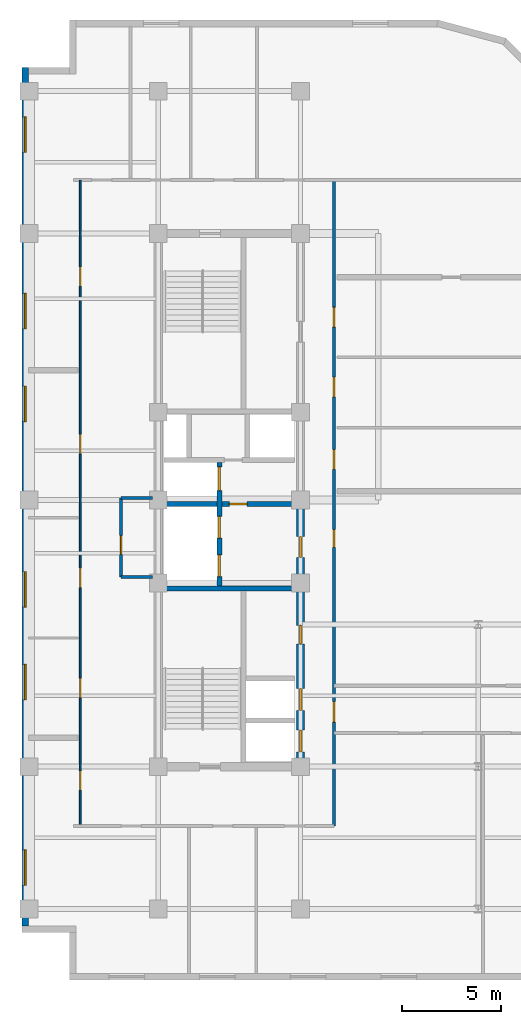
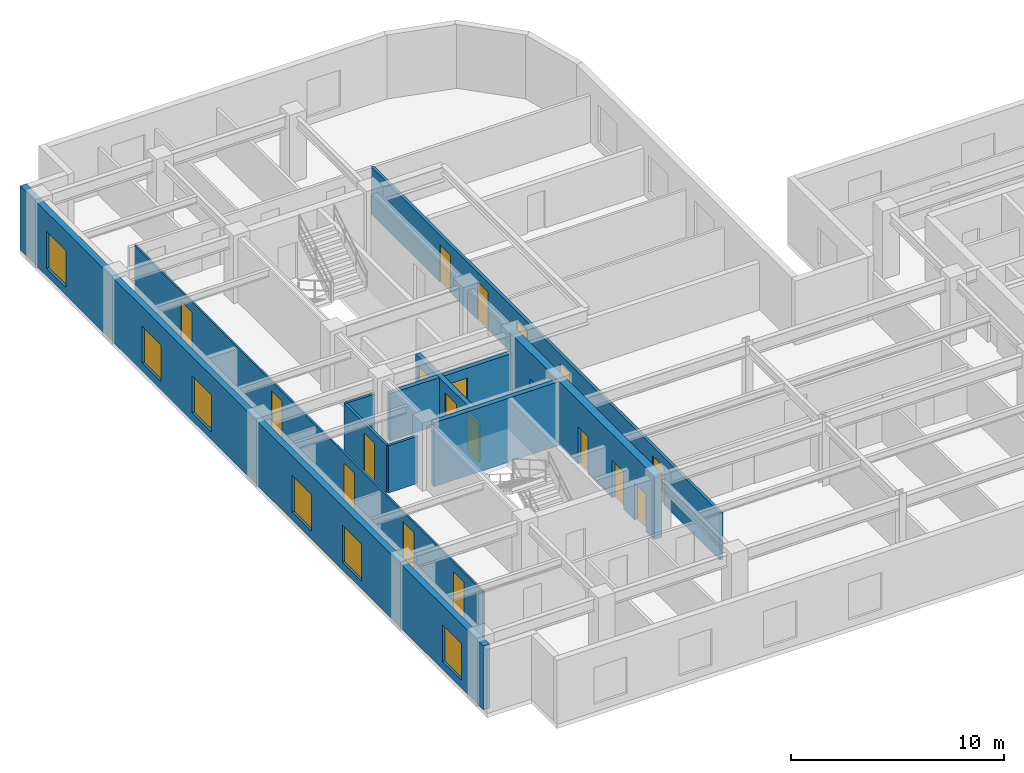
# One storey, part 4 of 10: 19 doors, 10 walls, 6 windows, 25 openings.
"""IFC4 building model written with IfcOpenShell, lengths in metres."""

from ifc_helpers import new_model, entity, si_unit, converted_unit, direction, frame, origin_with_axes, origin_2d_with_axis, place, context, subcontext, project, spatial, polyline, rectangle, outline, extrude, material, layer, layer_set, type_object, element, fill, save


model = new_model("IFC4")

# Units and contexts
model_context = context("Model", 3, precision=1e-05, world=origin_with_axes(), true_north=direction((0.0, 1.0)))
body_context = subcontext(model_context, "Body", "Model", "MODEL_VIEW")
ifc_project = project(units=[si_unit("LENGTHUNIT", "METRE"), si_unit("AREAUNIT", "SQUARE_METRE"), si_unit("VOLUMEUNIT", "CUBIC_METRE"), converted_unit("PLANEANGLEUNIT", "DEGREE", entity("IfcPlaneAngleMeasure", 0.017453292519943295), si_unit("PLANEANGLEUNIT", "RADIAN"), dimensions=[0, 0, 0, 0, 0, 0, 0]), si_unit("MASSUNIT", "GRAM", prefix="KILO"), si_unit("THERMODYNAMICTEMPERATUREUNIT", "KELVIN")], contexts=[model_context])

# Site, building, storey
site_placement = place(None, origin_with_axes())
site = spatial("IfcSite", under=ifc_project, at=site_placement, CompositionType="ELEMENT")
building_placement = place(site_placement, origin_with_axes())
building = spatial("IfcBuilding", under=site, at=building_placement, Name="Varnlund Millrace Tower", CompositionType="ELEMENT")
storey_placement = place(building_placement, frame((0.0, 0.0, 228.6), z_axis=(0.0, 0.0, 1.0), x_axis=(1.0, 0.0, 0.0)))
storey = spatial("IfcBuildingStorey", under=building, at=storey_placement, Name="L56", CompositionType="ELEMENT", Elevation=228.6)

# Wall, openings, doors
ifc_material_1 = material(Name="Concrete C60/75", Category="concrete")
ifc_layer_1 = layer(ifc_material_1, 0.42, Name="Concrete C60/75")
ifc_layer_set_1 = layer_set([ifc_layer_1], Name="Concrete C60/75")
wall_type_1 = type_object("IfcWallType", Name="Type-CoreWall-Shear-420-C60", PredefinedType="SHEAR", material=ifc_layer_set_1)
wall_1_placement = place(storey_placement, frame((18.6, 10.8, 0.0), z_axis=(0.0, 0.0, 1.0), x_axis=(0.0, 1.0, 0.0)))
wall_1 = element("IfcWall", 1, at=wall_1_placement, inside=storey, type_object=wall_type_1, Name="Type-CoreWall-Shear-420-C60", PredefinedType="SHEAR", context=body_context, shape_type="SweptSolid", body=[
    extrude(outline(polyline([(0.0, -0.21), (13.5, -0.21), (13.5, 0.21), (0.0, 0.21), (0.0, -0.21)])), origin_with_axes(), (0.0, 0.0, 1.0), 3.66),
])
opening_1_placement = place(wall_1_placement, frame((1.3, 0.0, 0.0), z_axis=(0.0, 0.0, 1.0), x_axis=(1.0, 0.0, 0.0)))
opening_1 = element("IfcOpeningElement", 2, at=opening_1_placement, cuts=wall_1, Name="Opening L56:LD-ELV-H1", PredefinedType="OPENING", context=body_context, shape_type="SweptSolid", body=[
    extrude(rectangle(XDim=1.1, YDim=0.44, at=origin_2d_with_axis()), origin_with_axes(), (0.0, 0.0, 1.0), 2.15),
])
opening_2_placement = place(wall_1_placement, frame((3.4, 0.0, 0.0), z_axis=(0.0, 0.0, 1.0), x_axis=(1.0, 0.0, 0.0)))
opening_2 = element("IfcOpeningElement", 3, at=opening_2_placement, cuts=wall_1, Name="Opening L56:LD-ELV-H2", PredefinedType="OPENING", context=body_context, shape_type="SweptSolid", body=[
    extrude(rectangle(XDim=1.1, YDim=0.44, at=origin_2d_with_axis()), origin_with_axes(), (0.0, 0.0, 1.0), 2.15),
])
opening_3_placement = place(wall_1_placement, frame((11.125, 0.0, 0.0), z_axis=(0.0, 0.0, 1.0), x_axis=(1.0, 0.0, 0.0)))
opening_3 = element("IfcOpeningElement", 4, at=opening_3_placement, cuts=wall_1, Name="Opening L56:DR-FFLOB-A", PredefinedType="OPENING", context=body_context, shape_type="SweptSolid", body=[
    extrude(rectangle(XDim=1.05, YDim=0.44, at=origin_2d_with_axis()), origin_with_axes(), (0.0, 0.0, 1.0), 2.15),
])
opening_4_placement = place(wall_1_placement, frame((6.675, 0.0, 0.0), z_axis=(0.0, 0.0, 1.0), x_axis=(1.0, 0.0, 0.0)))
opening_4 = element("IfcOpeningElement", 5, at=opening_4_placement, cuts=wall_1, Name="Opening L56:DR-RECL-S1AB", PredefinedType="OPENING", context=body_context, shape_type="SweptSolid", body=[
    extrude(rectangle(XDim=0.95, YDim=0.44, at=origin_2d_with_axis()), origin_with_axes(), (0.0, 0.0, 1.0), 2.15),
])
ifc_material_2 = material(Name="Smoke-barrier hollow steel fire door", Category="steel")
door_type_1 = type_object("IfcDoorType", Name="Type-FireDoor-Lobby-1050X2150", OperationType="NOTDEFINED", PredefinedType="DOOR", material=ifc_material_2)
door_1_placement = place(wall_1_placement, frame((11.125, 0.0, 0.0), z_axis=(0.0, 0.0, 1.0), x_axis=(1.0, 0.0, 0.0)))
door_1 = element("IfcDoor", 6, at=door_1_placement, inside=storey, type_object=door_type_1, Name="Type-FireDoor-Lobby-1050X2150", OperationType="SINGLE_SWING_LEFT", OverallHeight=2.15, OverallWidth=1.05, PredefinedType="DOOR", context=body_context, shape_type="SweptSolid", body=[
    extrude(rectangle(XDim=1.05, YDim=0.09, at=origin_2d_with_axis()), origin_with_axes(), (0.0, 0.0, 1.0), 2.15),
])
fill(opening_3, door_1)
ifc_material_3 = material(Name="Fire-rated hollow steel core service door", Category="steel")
door_type_2 = type_object("IfcDoorType", Name="Type-FireDoor-Service-950X2150", OperationType="NOTDEFINED", PredefinedType="DOOR", material=ifc_material_3)
door_2_placement = place(wall_1_placement, frame((6.675, 0.0, 0.0), z_axis=(0.0, 0.0, 1.0), x_axis=(1.0, 0.0, 0.0)))
door_2 = element("IfcDoor", 7, at=door_2_placement, inside=storey, type_object=door_type_2, Name="Type-FireDoor-Service-950X2150", OperationType="SINGLE_SWING_LEFT", OverallHeight=2.15, OverallWidth=0.95, PredefinedType="DOOR", context=body_context, shape_type="SweptSolid", body=[
    extrude(rectangle(XDim=0.95, YDim=0.09, at=origin_2d_with_axis()), origin_with_axes(), (0.0, 0.0, 1.0), 2.15),
])
fill(opening_4, door_2)
ifc_material_4 = material(Name="Stainless and architectural bronze sliding landing door")
door_type_3 = type_object("IfcDoorType", Name="Type-LiftLandingDoor-1100X2150", OperationType="NOTDEFINED", PredefinedType="DOOR", material=ifc_material_4)
door_3_placement = place(wall_1_placement, frame((1.3, 0.0, 0.0), z_axis=(0.0, 0.0, 1.0), x_axis=(1.0, 0.0, 0.0)))
door_3 = element("IfcDoor", 8, at=door_3_placement, inside=storey, type_object=door_type_3, Name="Type-LiftLandingDoor-1100X2150", OperationType="SLIDING_TO_LEFT", OverallHeight=2.15, OverallWidth=1.1, PredefinedType="DOOR", context=body_context, shape_type="SweptSolid", body=[
    extrude(rectangle(XDim=1.1, YDim=0.09, at=origin_2d_with_axis()), origin_with_axes(), (0.0, 0.0, 1.0), 2.15),
])
fill(opening_1, door_3)
door_4_placement = place(wall_1_placement, frame((3.4, 0.0, 0.0), z_axis=(0.0, 0.0, 1.0), x_axis=(1.0, 0.0, 0.0)))
door_4 = element("IfcDoor", 9, at=door_4_placement, inside=storey, type_object=door_type_3, Name="Type-LiftLandingDoor-1100X2150", OperationType="SLIDING_TO_RIGHT", OverallHeight=2.15, OverallWidth=1.1, PredefinedType="DOOR", context=body_context, shape_type="SweptSolid", body=[
    extrude(rectangle(XDim=1.1, YDim=0.09, at=origin_2d_with_axis()), origin_with_axes(), (0.0, 0.0, 1.0), 2.15),
])
fill(opening_2, door_4)

# Wall, openings, windows
ifc_material_5 = material(Name="Precast concrete C50/60", Category="concrete")
ifc_layer_2 = layer(ifc_material_5, 0.34, Name="Precast concrete C50/60")
ifc_layer_set_2 = layer_set([ifc_layer_2], Name="Precast concrete C50/60")
wall_type_2 = type_object("IfcWallType", Name="Type-ExtWall-Precast-Upper-340", PredefinedType="SOLIDWALL", material=ifc_layer_set_2)
wall_2_placement = place(storey_placement, frame((4.67, 2.74, 0.0), z_axis=(0.0, 0.0, 1.0), x_axis=(0.0, 1.0, 0.0)))
wall_2 = element("IfcWall", 10, at=wall_2_placement, inside=storey, type_object=wall_type_2, Name="Type-ExtWall-Precast-Upper-340", PredefinedType="SOLIDWALL", context=body_context, shape_type="SweptSolid", body=[
    extrude(outline(polyline([(0.0, -0.17), (43.46, -0.17), (43.46, 0.17), (0.0, 0.17), (0.0, -0.17)])), origin_with_axes(), (0.0, 0.0, 1.0), 3.66),
])
opening_5_placement = place(wall_2_placement, frame((2.948, 0.0, 0.45), z_axis=(0.0, 0.0, 1.0), x_axis=(1.0, 0.0, 0.0)))
opening_5 = element("IfcOpeningElement", 11, at=opening_5_placement, cuts=wall_2, Name="Opening L56:WN-15", PredefinedType="OPENING", context=body_context, shape_type="SweptSolid", body=[
    extrude(rectangle(XDim=1.8, YDim=0.36, at=origin_2d_with_axis()), origin_with_axes(), (0.0, 0.0, 1.0), 2.1),
])
opening_6_placement = place(wall_2_placement, frame((12.339, 0.0, 0.45), z_axis=(0.0, 0.0, 1.0), x_axis=(1.0, 0.0, 0.0)))
opening_6 = element("IfcOpeningElement", 12, at=opening_6_placement, cuts=wall_2, Name="Opening L56:WN-16", PredefinedType="OPENING", context=body_context, shape_type="SweptSolid", body=[
    extrude(rectangle(XDim=1.8, YDim=0.36, at=origin_2d_with_axis()), origin_with_axes(), (0.0, 0.0, 1.0), 2.1),
])
opening_7_placement = place(wall_2_placement, frame((17.034, 0.0, 0.45), z_axis=(0.0, 0.0, 1.0), x_axis=(1.0, 0.0, 0.0)))
opening_7 = element("IfcOpeningElement", 13, at=opening_7_placement, cuts=wall_2, Name="Opening L56:WN-17", PredefinedType="OPENING", context=body_context, shape_type="SweptSolid", body=[
    extrude(rectangle(XDim=1.8, YDim=0.36, at=origin_2d_with_axis()), origin_with_axes(), (0.0, 0.0, 1.0), 2.1),
])
opening_8_placement = place(wall_2_placement, frame((26.426, 0.0, 0.45), z_axis=(0.0, 0.0, 1.0), x_axis=(1.0, 0.0, 0.0)))
opening_8 = element("IfcOpeningElement", 14, at=opening_8_placement, cuts=wall_2, Name="Opening L56:WN-18", PredefinedType="OPENING", context=body_context, shape_type="SweptSolid", body=[
    extrude(rectangle(XDim=1.8, YDim=0.36, at=origin_2d_with_axis()), origin_with_axes(), (0.0, 0.0, 1.0), 2.1),
])
opening_9_placement = place(wall_2_placement, frame((31.121, 0.0, 0.45), z_axis=(0.0, 0.0, 1.0), x_axis=(1.0, 0.0, 0.0)))
opening_9 = element("IfcOpeningElement", 15, at=opening_9_placement, cuts=wall_2, Name="Opening L56:WN-19", PredefinedType="OPENING", context=body_context, shape_type="SweptSolid", body=[
    extrude(rectangle(XDim=1.8, YDim=0.36, at=origin_2d_with_axis()), origin_with_axes(), (0.0, 0.0, 1.0), 2.1),
])
opening_10_placement = place(wall_2_placement, frame((40.062, 0.0, 0.45), z_axis=(0.0, 0.0, 1.0), x_axis=(1.0, 0.0, 0.0)))
opening_10 = element("IfcOpeningElement", 16, at=opening_10_placement, cuts=wall_2, Name="Opening L56:WN-20", PredefinedType="OPENING", context=body_context, shape_type="SweptSolid", body=[
    extrude(rectangle(XDim=1.8, YDim=0.36, at=origin_2d_with_axis()), origin_with_axes(), (0.0, 0.0, 1.0), 2.1),
])
ifc_material_6 = material(Name="Argon low-e triple glazing in thermally broken bronze frame", Category="glass")
window_type = type_object("IfcWindowType", Name="Type-Window-Punched-1800X2100", PartitioningType="SINGLE_PANEL", PredefinedType="WINDOW", material=ifc_material_6)
window_1_placement = place(wall_2_placement, frame((2.948, 0.0, 0.45), z_axis=(0.0, 0.0, 1.0), x_axis=(1.0, 0.0, 0.0)))
window_1 = element("IfcWindow", 17, at=window_1_placement, inside=storey, type_object=window_type, Name="Type-Window-Punched-1800X2100", OverallHeight=2.1, OverallWidth=1.8, PredefinedType="WINDOW", context=body_context, shape_type="SweptSolid", body=[
    extrude(rectangle(XDim=1.8, YDim=0.09, at=origin_2d_with_axis()), origin_with_axes(), (0.0, 0.0, 1.0), 2.1),
])
fill(opening_5, window_1)
window_2_placement = place(wall_2_placement, frame((12.339, 0.0, 0.45), z_axis=(0.0, 0.0, 1.0), x_axis=(1.0, 0.0, 0.0)))
window_2 = element("IfcWindow", 18, at=window_2_placement, inside=storey, type_object=window_type, Name="Type-Window-Punched-1800X2100", OverallHeight=2.1, OverallWidth=1.8, PredefinedType="WINDOW", context=body_context, shape_type="SweptSolid", body=[
    extrude(rectangle(XDim=1.8, YDim=0.09, at=origin_2d_with_axis()), origin_with_axes(), (0.0, 0.0, 1.0), 2.1),
])
fill(opening_6, window_2)
window_3_placement = place(wall_2_placement, frame((17.034, 0.0, 0.45), z_axis=(0.0, 0.0, 1.0), x_axis=(1.0, 0.0, 0.0)))
window_3 = element("IfcWindow", 19, at=window_3_placement, inside=storey, type_object=window_type, Name="Type-Window-Punched-1800X2100", OverallHeight=2.1, OverallWidth=1.8, PredefinedType="WINDOW", context=body_context, shape_type="SweptSolid", body=[
    extrude(rectangle(XDim=1.8, YDim=0.09, at=origin_2d_with_axis()), origin_with_axes(), (0.0, 0.0, 1.0), 2.1),
])
fill(opening_7, window_3)
window_4_placement = place(wall_2_placement, frame((26.426, 0.0, 0.45), z_axis=(0.0, 0.0, 1.0), x_axis=(1.0, 0.0, 0.0)))
window_4 = element("IfcWindow", 20, at=window_4_placement, inside=storey, type_object=window_type, Name="Type-Window-Punched-1800X2100", OverallHeight=2.1, OverallWidth=1.8, PredefinedType="WINDOW", context=body_context, shape_type="SweptSolid", body=[
    extrude(rectangle(XDim=1.8, YDim=0.09, at=origin_2d_with_axis()), origin_with_axes(), (0.0, 0.0, 1.0), 2.1),
])
fill(opening_8, window_4)
window_5_placement = place(wall_2_placement, frame((31.121, 0.0, 0.45), z_axis=(0.0, 0.0, 1.0), x_axis=(1.0, 0.0, 0.0)))
window_5 = element("IfcWindow", 21, at=window_5_placement, inside=storey, type_object=window_type, Name="Type-Window-Punched-1800X2100", OverallHeight=2.1, OverallWidth=1.8, PredefinedType="WINDOW", context=body_context, shape_type="SweptSolid", body=[
    extrude(rectangle(XDim=1.8, YDim=0.09, at=origin_2d_with_axis()), origin_with_axes(), (0.0, 0.0, 1.0), 2.1),
])
fill(opening_9, window_5)
window_6_placement = place(wall_2_placement, frame((40.062, 0.0, 0.45), z_axis=(0.0, 0.0, 1.0), x_axis=(1.0, 0.0, 0.0)))
window_6 = element("IfcWindow", 22, at=window_6_placement, inside=storey, type_object=window_type, Name="Type-Window-Punched-1800X2100", OverallHeight=2.1, OverallWidth=1.8, PredefinedType="WINDOW", context=body_context, shape_type="SweptSolid", body=[
    extrude(rectangle(XDim=1.8, YDim=0.09, at=origin_2d_with_axis()), origin_with_axes(), (0.0, 0.0, 1.0), 2.1),
])
fill(opening_10, window_6)

# Wall, openings, doors
ifc_material_7 = material(Name="Fire-rated gypsum board on cold-formed steel framing", Category="steel")
ifc_layer_3 = layer(ifc_material_7, 0.16, Name="Fire-rated gypsum board on cold-formed steel framing")
ifc_layer_set_3 = layer_set([ifc_layer_3], Name="Fire-rated gypsum board on cold-formed steel framing")
wall_type_3 = type_object("IfcWallType", Name="Type-Partition-Corridor-160", PredefinedType="PARTITIONING", material=ifc_layer_set_3)
wall_3_placement = place(storey_placement, frame((20.3, 7.8, 0.0), z_axis=(0.0, 0.0, 1.0), x_axis=(0.0, 1.0, 0.0)))
wall_3 = element("IfcWall", 23, at=wall_3_placement, inside=storey, type_object=wall_type_3, Name="Type-Partition-Corridor-160", PredefinedType="PARTITIONING", context=body_context, shape_type="SweptSolid", body=[
    extrude(outline(polyline([(0.0, -0.08), (32.7, -0.08), (32.7, 0.08), (0.0, 0.08), (0.0, -0.08)])), origin_with_axes(), (0.0, 0.0, 1.0), 2.7),
])
opening_11_placement = place(wall_3_placement, frame((14.556, 0.0, 0.0), z_axis=(0.0, 0.0, 1.0), x_axis=(1.0, 0.0, 0.0)))
opening_11 = element("IfcOpeningElement", 24, at=opening_11_placement, cuts=wall_3, Name="Opening L56:DR-FLR-01", PredefinedType="OPENING", context=body_context, shape_type="SweptSolid", body=[
    extrude(rectangle(XDim=0.9, YDim=0.18, at=origin_2d_with_axis()), origin_with_axes(), (0.0, 0.0, 1.0), 2.15),
])
opening_12_placement = place(wall_3_placement, frame((18.551, 0.0, 0.0), z_axis=(0.0, 0.0, 1.0), x_axis=(1.0, 0.0, 0.0)))
opening_12 = element("IfcOpeningElement", 25, at=opening_12_placement, cuts=wall_3, Name="Opening L56:DR-FLR-02", PredefinedType="OPENING", context=body_context, shape_type="SweptSolid", body=[
    extrude(rectangle(XDim=1.0, YDim=0.18, at=origin_2d_with_axis()), origin_with_axes(), (0.0, 0.0, 1.0), 2.15),
])
opening_13_placement = place(wall_3_placement, frame((22.226, 0.0, 0.0), z_axis=(0.0, 0.0, 1.0), x_axis=(1.0, 0.0, 0.0)))
opening_13 = element("IfcOpeningElement", 26, at=opening_13_placement, cuts=wall_3, Name="Opening L56:DR-FLR-03", PredefinedType="OPENING", context=body_context, shape_type="SweptSolid", body=[
    extrude(rectangle(XDim=1.0, YDim=0.18, at=origin_2d_with_axis()), origin_with_axes(), (0.0, 0.0, 1.0), 2.15),
])
opening_14_placement = place(wall_3_placement, frame((25.754, 0.0, 0.0), z_axis=(0.0, 0.0, 1.0), x_axis=(1.0, 0.0, 0.0)))
opening_14 = element("IfcOpeningElement", 27, at=opening_14_placement, cuts=wall_3, Name="Opening L56:DR-FLR-04", PredefinedType="OPENING", context=body_context, shape_type="SweptSolid", body=[
    extrude(rectangle(XDim=1.0, YDim=0.18, at=origin_2d_with_axis()), origin_with_axes(), (0.0, 0.0, 1.0), 2.15),
])
opening_15_placement = place(wall_3_placement, frame((5.775, 0.0, 0.0), z_axis=(0.0, 0.0, 1.0), x_axis=(1.0, 0.0, 0.0)))
opening_15 = element("IfcOpeningElement", 28, at=opening_15_placement, cuts=wall_3, Name="Opening L56:DR-KN-W", PredefinedType="OPENING", context=body_context, shape_type="SweptSolid", body=[
    extrude(rectangle(XDim=1.05, YDim=0.18, at=origin_2d_with_axis()), origin_with_axes(), (0.0, 0.0, 1.0), 2.15),
])
door_5_placement = place(wall_3_placement, frame((5.775, 0.0, 0.0), z_axis=(0.0, 0.0, 1.0), x_axis=(1.0, 0.0, 0.0)))
door_5 = element("IfcDoor", 29, at=door_5_placement, inside=storey, type_object=door_type_1, Name="Type-FireDoor-Lobby-1050X2150", OperationType="SINGLE_SWING_LEFT", OverallHeight=2.15, OverallWidth=1.05, PredefinedType="DOOR", context=body_context, shape_type="SweptSolid", body=[
    extrude(rectangle(XDim=1.05, YDim=0.09, at=origin_2d_with_axis()), origin_with_axes(), (0.0, 0.0, 1.0), 2.15),
])
fill(opening_15, door_5)
ifc_material_8 = material(Name="Painted steel riser and closet door", Category="steel")
door_type_4 = type_object("IfcDoorType", Name="Type-IntDoor-Closet-900X2150", OperationType="NOTDEFINED", PredefinedType="DOOR", material=ifc_material_8)
door_6_placement = place(wall_3_placement, frame((14.556, 0.0, 0.0), z_axis=(0.0, 0.0, 1.0), x_axis=(1.0, 0.0, 0.0)))
door_6 = element("IfcDoor", 30, at=door_6_placement, inside=storey, type_object=door_type_4, Name="Type-IntDoor-Closet-900X2150", OperationType="SINGLE_SWING_LEFT", OverallHeight=2.15, OverallWidth=0.9, PredefinedType="DOOR", context=body_context, shape_type="SweptSolid", body=[
    extrude(rectangle(XDim=0.9, YDim=0.09, at=origin_2d_with_axis()), origin_with_axes(), (0.0, 0.0, 1.0), 2.15),
])
fill(opening_11, door_6)
ifc_material_9 = material(Name="Solid-core white oak and bronze frame door")
door_type_5 = type_object("IfcDoorType", Name="Type-IntDoor-Office-1000X2150", OperationType="NOTDEFINED", PredefinedType="DOOR", material=ifc_material_9)
door_7_placement = place(wall_3_placement, frame((18.551, 0.0, 0.0), z_axis=(0.0, 0.0, 1.0), x_axis=(1.0, 0.0, 0.0)))
door_7 = element("IfcDoor", 31, at=door_7_placement, inside=storey, type_object=door_type_5, Name="Type-IntDoor-Office-1000X2150", OperationType="SINGLE_SWING_RIGHT", OverallHeight=2.15, OverallWidth=1.0, PredefinedType="DOOR", context=body_context, shape_type="SweptSolid", body=[
    extrude(rectangle(XDim=1.0, YDim=0.09, at=origin_2d_with_axis()), origin_with_axes(), (0.0, 0.0, 1.0), 2.15),
])
fill(opening_12, door_7)
door_8_placement = place(wall_3_placement, frame((22.226, 0.0, 0.0), z_axis=(0.0, 0.0, 1.0), x_axis=(1.0, 0.0, 0.0)))
door_8 = element("IfcDoor", 32, at=door_8_placement, inside=storey, type_object=door_type_5, Name="Type-IntDoor-Office-1000X2150", OperationType="SINGLE_SWING_LEFT", OverallHeight=2.15, OverallWidth=1.0, PredefinedType="DOOR", context=body_context, shape_type="SweptSolid", body=[
    extrude(rectangle(XDim=1.0, YDim=0.09, at=origin_2d_with_axis()), origin_with_axes(), (0.0, 0.0, 1.0), 2.15),
])
fill(opening_13, door_8)
door_9_placement = place(wall_3_placement, frame((25.754, 0.0, 0.0), z_axis=(0.0, 0.0, 1.0), x_axis=(1.0, 0.0, 0.0)))
door_9 = element("IfcDoor", 33, at=door_9_placement, inside=storey, type_object=door_type_5, Name="Type-IntDoor-Office-1000X2150", OperationType="SINGLE_SWING_RIGHT", OverallHeight=2.15, OverallWidth=1.0, PredefinedType="DOOR", context=body_context, shape_type="SweptSolid", body=[
    extrude(rectangle(XDim=1.0, YDim=0.09, at=origin_2d_with_axis()), origin_with_axes(), (0.0, 0.0, 1.0), 2.15),
])
fill(opening_14, door_9)

ifc_material_10 = material(Name="Architectural bronze and acoustic glass office front", Category="glass")
ifc_layer_4 = layer(ifc_material_10, 0.1, Name="Architectural bronze and acoustic glass office front")
ifc_layer_set_4 = layer_set([ifc_layer_4], Name="Architectural bronze and acoustic glass office front")
wall_type_4 = type_object("IfcWallType", Name="Type-Partition-Glazed-100", PredefinedType="PARTITIONING", material=ifc_layer_set_4)
wall_4_placement = place(storey_placement, frame((7.45, 7.8, 0.0), z_axis=(0.0, 0.0, 1.0), x_axis=(0.0, 1.0, 0.0)))
wall_4 = element("IfcWall", 34, at=wall_4_placement, inside=storey, type_object=wall_type_4, Name="Type-Partition-Glazed-100", PredefinedType="PARTITIONING", context=body_context, shape_type="SweptSolid", body=[
    extrude(outline(polyline([(0.0, -0.05), (32.7, -0.05), (32.7, 0.05), (0.0, 0.05), (0.0, -0.05)])), origin_with_axes(), (0.0, 0.0, 1.0), 2.7),
])
opening_16_placement = place(wall_4_placement, frame((2.296, 0.0, 0.0), z_axis=(0.0, 0.0, 1.0), x_axis=(1.0, 0.0, 0.0)))
opening_16 = element("IfcOpeningElement", 35, at=opening_16_placement, cuts=wall_4, Name="Opening L56:DR-W-01", PredefinedType="OPENING", context=body_context, shape_type="SweptSolid", body=[
    extrude(rectangle(XDim=1.0, YDim=0.12, at=origin_2d_with_axis()), origin_with_axes(), (0.0, 0.0, 1.0), 2.15),
])
opening_17_placement = place(wall_4_placement, frame((6.9885, 0.0, 0.0), z_axis=(0.0, 0.0, 1.0), x_axis=(1.0, 0.0, 0.0)))
opening_17 = element("IfcOpeningElement", 36, at=opening_17_placement, cuts=wall_4, Name="Opening L56:DR-W-02", PredefinedType="OPENING", context=body_context, shape_type="SweptSolid", body=[
    extrude(rectangle(XDim=1.0, YDim=0.12, at=origin_2d_with_axis()), origin_with_axes(), (0.0, 0.0, 1.0), 2.15),
])
opening_18_placement = place(wall_4_placement, frame((12.56, 0.0, 0.0), z_axis=(0.0, 0.0, 1.0), x_axis=(1.0, 0.0, 0.0)))
opening_18 = element("IfcOpeningElement", 37, at=opening_18_placement, cuts=wall_4, Name="Opening L56:DR-W-03", PredefinedType="OPENING", context=body_context, shape_type="SweptSolid", body=[
    extrude(rectangle(XDim=1.0, YDim=0.12, at=origin_2d_with_axis()), origin_with_axes(), (0.0, 0.0, 1.0), 2.15),
])
opening_19_placement = place(wall_4_placement, frame((19.334, 0.0, 0.0), z_axis=(0.0, 0.0, 1.0), x_axis=(1.0, 0.0, 0.0)))
opening_19 = element("IfcOpeningElement", 38, at=opening_19_placement, cuts=wall_4, Name="Opening L56:DR-W-04", PredefinedType="OPENING", context=body_context, shape_type="SweptSolid", body=[
    extrude(rectangle(XDim=1.0, YDim=0.12, at=origin_2d_with_axis()), origin_with_axes(), (0.0, 0.0, 1.0), 2.15),
])
opening_20_placement = place(wall_4_placement, frame((27.8165, 0.0, 0.0), z_axis=(0.0, 0.0, 1.0), x_axis=(1.0, 0.0, 0.0)))
opening_20 = element("IfcOpeningElement", 39, at=opening_20_placement, cuts=wall_4, Name="Opening L56:DR-W-05", PredefinedType="OPENING", context=body_context, shape_type="SweptSolid", body=[
    extrude(rectangle(XDim=1.0, YDim=0.12, at=origin_2d_with_axis()), origin_with_axes(), (0.0, 0.0, 1.0), 2.15),
])
door_10_placement = place(wall_4_placement, frame((2.296, 0.0, 0.0), z_axis=(0.0, 0.0, 1.0), x_axis=(1.0, 0.0, 0.0)))
door_10 = element("IfcDoor", 40, at=door_10_placement, inside=storey, type_object=door_type_5, Name="Type-IntDoor-Office-1000X2150", OperationType="SINGLE_SWING_LEFT", OverallHeight=2.15, OverallWidth=1.0, PredefinedType="DOOR", context=body_context, shape_type="SweptSolid", body=[
    extrude(rectangle(XDim=1.0, YDim=0.06, at=origin_2d_with_axis()), origin_with_axes(), (0.0, 0.0, 1.0), 2.15),
])
fill(opening_16, door_10)
door_11_placement = place(wall_4_placement, frame((6.9885, 0.0, 0.0), z_axis=(0.0, 0.0, 1.0), x_axis=(1.0, 0.0, 0.0)))
door_11 = element("IfcDoor", 41, at=door_11_placement, inside=storey, type_object=door_type_5, Name="Type-IntDoor-Office-1000X2150", OperationType="SINGLE_SWING_RIGHT", OverallHeight=2.15, OverallWidth=1.0, PredefinedType="DOOR", context=body_context, shape_type="SweptSolid", body=[
    extrude(rectangle(XDim=1.0, YDim=0.06, at=origin_2d_with_axis()), origin_with_axes(), (0.0, 0.0, 1.0), 2.15),
])
fill(opening_17, door_11)
door_12_placement = place(wall_4_placement, frame((12.56, 0.0, 0.0), z_axis=(0.0, 0.0, 1.0), x_axis=(1.0, 0.0, 0.0)))
door_12 = element("IfcDoor", 42, at=door_12_placement, inside=storey, type_object=door_type_5, Name="Type-IntDoor-Office-1000X2150", OperationType="SINGLE_SWING_LEFT", OverallHeight=2.15, OverallWidth=1.0, PredefinedType="DOOR", context=body_context, shape_type="SweptSolid", body=[
    extrude(rectangle(XDim=1.0, YDim=0.06, at=origin_2d_with_axis()), origin_with_axes(), (0.0, 0.0, 1.0), 2.15),
])
fill(opening_18, door_12)
door_13_placement = place(wall_4_placement, frame((19.334, 0.0, 0.0), z_axis=(0.0, 0.0, 1.0), x_axis=(1.0, 0.0, 0.0)))
door_13 = element("IfcDoor", 43, at=door_13_placement, inside=storey, type_object=door_type_5, Name="Type-IntDoor-Office-1000X2150", OperationType="SINGLE_SWING_RIGHT", OverallHeight=2.15, OverallWidth=1.0, PredefinedType="DOOR", context=body_context, shape_type="SweptSolid", body=[
    extrude(rectangle(XDim=1.0, YDim=0.06, at=origin_2d_with_axis()), origin_with_axes(), (0.0, 0.0, 1.0), 2.15),
])
fill(opening_19, door_13)
door_14_placement = place(wall_4_placement, frame((27.8165, 0.0, 0.0), z_axis=(0.0, 0.0, 1.0), x_axis=(1.0, 0.0, 0.0)))
door_14 = element("IfcDoor", 44, at=door_14_placement, inside=storey, type_object=door_type_5, Name="Type-IntDoor-Office-1000X2150", OperationType="SINGLE_SWING_LEFT", OverallHeight=2.15, OverallWidth=1.0, PredefinedType="DOOR", context=body_context, shape_type="SweptSolid", body=[
    extrude(rectangle(XDim=1.0, YDim=0.06, at=origin_2d_with_axis()), origin_with_axes(), (0.0, 0.0, 1.0), 2.15),
])
fill(opening_20, door_14)

# Wall, opening, door
ifc_material_11 = material(Name="Moisture-resistant gypsum restroom partition", Category="gypsum")
ifc_layer_5 = layer(ifc_material_11, 0.14, Name="Moisture-resistant gypsum restroom partition")
ifc_layer_set_5 = layer_set([ifc_layer_5], Name="Moisture-resistant gypsum restroom partition")
wall_type_5 = type_object("IfcWallType", Name="Type-Partition-Wet-140", PredefinedType="PARTITIONING", material=ifc_layer_set_5)
wall_5_placement = place(storey_placement, frame((9.52, 20.4, 0.0), z_axis=(0.0, 0.0, 1.0), x_axis=(0.0, 1.0, 0.0)))
wall_5 = element("IfcWall", 45, at=wall_5_placement, inside=storey, type_object=wall_type_5, Name="Type-Partition-Wet-140", PredefinedType="PARTITIONING", context=body_context, shape_type="SweptSolid", body=[
    extrude(outline(polyline([(0.0, -0.07), (4.0, -0.07), (4.0, 0.07), (0.0, 0.07), (0.0, -0.07)])), origin_with_axes(), (0.0, 0.0, 1.0), 2.7),
])
opening_21_placement = place(wall_5_placement, frame((1.625, 0.0, 0.0), z_axis=(0.0, 0.0, 1.0), x_axis=(1.0, 0.0, 0.0)))
opening_21 = element("IfcOpeningElement", 46, at=opening_21_placement, cuts=wall_5, Name="Opening L56:DR-CA-WCW", PredefinedType="OPENING", context=body_context, shape_type="SweptSolid", body=[
    extrude(rectangle(XDim=0.95, YDim=0.16, at=origin_2d_with_axis()), origin_with_axes(), (0.0, 0.0, 1.0), 2.15),
])
ifc_material_12 = material(Name="Solid-core acoustic office door")
door_type_6 = type_object("IfcDoorType", Name="Type-IntDoor-Tenant-950X2150", OperationType="NOTDEFINED", PredefinedType="DOOR", material=ifc_material_12)
door_15_placement = place(wall_5_placement, frame((1.625, 0.0, 0.0), z_axis=(0.0, 0.0, 1.0), x_axis=(1.0, 0.0, 0.0)))
door_15 = element("IfcDoor", 47, at=door_15_placement, inside=storey, type_object=door_type_6, Name="Type-IntDoor-Tenant-950X2150", OperationType="SINGLE_SWING_LEFT", OverallHeight=2.15, OverallWidth=0.95, PredefinedType="DOOR", context=body_context, shape_type="SweptSolid", body=[
    extrude(rectangle(XDim=0.95, YDim=0.084, at=origin_2d_with_axis()), origin_with_axes(), (0.0, 0.0, 1.0), 2.15),
])
fill(opening_21, door_15)

# Walls
for number, where, z_axis, x_axis, name in (
    (48, (9.52, 20.4, 0.0), (0.0, 0.0, 1.0), (1.0, 0.0, 0.0), "Type-Partition-Wet-140"),
    (49, (9.52, 24.4, 0.0), (0.0, 0.0, 1.0), (1.0, 0.0, 0.0), "Type-Partition-Wet-140"),
):
    element("IfcWall", number, at=place(storey_placement, frame(where, z_axis=z_axis, x_axis=x_axis)), inside=storey, type_object=wall_type_5, Name=name, PredefinedType="PARTITIONING", context=body_context, shape_type="SweptSolid", body=[
        extrude(outline(polyline([(0.0, -0.07), (1.58, -0.07), (1.58, 0.07), (0.0, 0.07), (0.0, -0.07)])), origin_with_axes(), (0.0, 0.0, 1.0), 2.7),
    ])

# Wall, openings, doors
ifc_layer_6 = layer(ifc_material_1, 0.25, Name="Concrete C60/75")
ifc_layer_set_6 = layer_set([ifc_layer_6], Name="Concrete C60/75")
wall_type_6 = type_object("IfcWallType", Name="Type-ShaftWall-Fire-250", PredefinedType="SOLIDWALL", material=ifc_layer_set_6)
wall_6_placement = place(storey_placement, frame((14.5, 19.95, 0.0), z_axis=(0.0, 0.0, 1.0), x_axis=(0.0, 1.0, 0.0)))
wall_6 = element("IfcWall", 50, at=wall_6_placement, inside=storey, type_object=wall_type_6, Name="Type-ShaftWall-Fire-250", PredefinedType="SOLIDWALL", context=body_context, shape_type="SweptSolid", body=[
    extrude(outline(polyline([(0.0, -0.125), (6.25, -0.125), (6.25, 0.125), (0.0, 0.125), (0.0, -0.125)])), origin_with_axes(), (0.0, 0.0, 1.0), 2.7),
])
opening_22_placement = place(wall_6_placement, frame((1.025, 0.0, 0.0), z_axis=(0.0, 0.0, 1.0), x_axis=(1.0, 0.0, 0.0)))
opening_22 = element("IfcOpeningElement", 51, at=opening_22_placement, cuts=wall_6, Name="Opening L56:LD-FSAE1", PredefinedType="OPENING", context=body_context, shape_type="SweptSolid", body=[
    extrude(rectangle(XDim=1.1, YDim=0.27, at=origin_2d_with_axis()), origin_with_axes(), (0.0, 0.0, 1.0), 2.15),
])
opening_23_placement = place(wall_6_placement, frame((2.975, 0.0, 0.0), z_axis=(0.0, 0.0, 1.0), x_axis=(1.0, 0.0, 0.0)))
opening_23 = element("IfcOpeningElement", 52, at=opening_23_placement, cuts=wall_6, Name="Opening L56:LD-FSAE2", PredefinedType="OPENING", context=body_context, shape_type="SweptSolid", body=[
    extrude(rectangle(XDim=1.1, YDim=0.27, at=origin_2d_with_axis()), origin_with_axes(), (0.0, 0.0, 1.0), 2.15),
])
opening_24_placement = place(wall_6_placement, frame((5.425, 0.0, 0.0), z_axis=(0.0, 0.0, 1.0), x_axis=(1.0, 0.0, 0.0)))
opening_24 = element("IfcOpeningElement", 53, at=opening_24_placement, cuts=wall_6, Name="Opening L56:LD-SRV1", PredefinedType="OPENING", context=body_context, shape_type="SweptSolid", body=[
    extrude(rectangle(XDim=1.2, YDim=0.27, at=origin_2d_with_axis()), origin_with_axes(), (0.0, 0.0, 1.0), 2.15),
])
door_16_placement = place(wall_6_placement, frame((1.025, 0.0, 0.0), z_axis=(0.0, 0.0, 1.0), x_axis=(1.0, 0.0, 0.0)))
door_16 = element("IfcDoor", 54, at=door_16_placement, inside=storey, type_object=door_type_3, Name="Type-LiftLandingDoor-1100X2150", OperationType="SLIDING_TO_LEFT", OverallHeight=2.15, OverallWidth=1.1, PredefinedType="DOOR", context=body_context, shape_type="SweptSolid", body=[
    extrude(rectangle(XDim=1.1, YDim=0.09, at=origin_2d_with_axis()), origin_with_axes(), (0.0, 0.0, 1.0), 2.15),
])
fill(opening_22, door_16)
door_17_placement = place(wall_6_placement, frame((2.975, 0.0, 0.0), z_axis=(0.0, 0.0, 1.0), x_axis=(1.0, 0.0, 0.0)))
door_17 = element("IfcDoor", 55, at=door_17_placement, inside=storey, type_object=door_type_3, Name="Type-LiftLandingDoor-1100X2150", OperationType="SLIDING_TO_RIGHT", OverallHeight=2.15, OverallWidth=1.1, PredefinedType="DOOR", context=body_context, shape_type="SweptSolid", body=[
    extrude(rectangle(XDim=1.1, YDim=0.09, at=origin_2d_with_axis()), origin_with_axes(), (0.0, 0.0, 1.0), 2.15),
])
fill(opening_23, door_17)
ifc_material_13 = material(Name="Heavy-duty freight sliding landing door")
door_type_7 = type_object("IfcDoorType", Name="Type-LiftLandingDoor-Service-1200X2150", OperationType="NOTDEFINED", PredefinedType="DOOR", material=ifc_material_13)
door_18_placement = place(wall_6_placement, frame((5.425, 0.0, 0.0), z_axis=(0.0, 0.0, 1.0), x_axis=(1.0, 0.0, 0.0)))
door_18 = element("IfcDoor", 56, at=door_18_placement, inside=storey, type_object=door_type_7, Name="Type-LiftLandingDoor-Service-1200X2150", OperationType="DOUBLE_DOOR_SLIDING", OverallHeight=2.15, OverallWidth=1.2, PredefinedType="DOOR", context=body_context, shape_type="SweptSolid", body=[
    extrude(rectangle(XDim=1.2, YDim=0.09, at=origin_2d_with_axis()), origin_with_axes(), (0.0, 0.0, 1.0), 2.15),
])
fill(opening_24, door_18)

# Wall, opening, door
wall_7_placement = place(storey_placement, frame((11.7, 24.1, 0.0), z_axis=(0.0, 0.0, 1.0), x_axis=(1.0, 0.0, 0.0)))
wall_7 = element("IfcWall", 57, at=wall_7_placement, inside=storey, type_object=wall_type_6, Name="Type-ShaftWall-Fire-250", PredefinedType="SOLIDWALL", context=body_context, shape_type="SweptSolid", body=[
    extrude(outline(polyline([(0.0, -0.125), (6.6, -0.125), (6.6, 0.125), (0.0, 0.125), (0.0, -0.125)])), origin_with_axes(), (0.0, 0.0, 1.0), 2.7),
])
opening_25_placement = place(wall_7_placement, frame((3.75, 0.0, 0.0), z_axis=(0.0, 0.0, 1.0), x_axis=(1.0, 0.0, 0.0)))
opening_25 = element("IfcOpeningElement", 58, at=opening_25_placement, cuts=wall_7, Name="Opening L56:DR-CA-SRV1", PredefinedType="OPENING", context=body_context, shape_type="SweptSolid", body=[
    extrude(rectangle(XDim=0.9, YDim=0.27, at=origin_2d_with_axis()), origin_with_axes(), (0.0, 0.0, 1.0), 2.15),
])
ifc_material_14 = material(Name="Fire-rated hollow steel service closet door", Category="steel")
door_type_8 = type_object("IfcDoorType", Name="Type-FireDoor-Closet-900X2150", OperationType="NOTDEFINED", PredefinedType="DOOR", material=ifc_material_14)
door_19_placement = place(wall_7_placement, frame((3.75, 0.0, 0.0), z_axis=(0.0, 0.0, 1.0), x_axis=(1.0, 0.0, 0.0)))
door_19 = element("IfcDoor", 59, at=door_19_placement, inside=storey, type_object=door_type_8, Name="Type-FireDoor-Closet-900X2150", OperationType="SINGLE_SWING_LEFT", OverallHeight=2.15, OverallWidth=0.9, PredefinedType="DOOR", context=body_context, shape_type="SweptSolid", body=[
    extrude(rectangle(XDim=0.9, YDim=0.09, at=origin_2d_with_axis()), origin_with_axes(), (0.0, 0.0, 1.0), 2.15),
])
fill(opening_25, door_19)

# Wall
wall_type_7 = type_object("IfcWallType", Name="Type-StairWall-Shear-250", PredefinedType="SHEAR", material=ifc_layer_set_6)
wall_8_placement = place(storey_placement, frame((11.61, 19.825, 0.0), z_axis=(0.0, 0.0, 1.0), x_axis=(1.0, 0.0, 0.0)))
element("IfcWall", 60, at=wall_8_placement, inside=storey, type_object=wall_type_7, Name="Type-StairWall-Shear-250", PredefinedType="SHEAR", context=body_context, shape_type="SweptSolid", body=[
    extrude(outline(polyline([(0.0, -0.125), (6.78, -0.125), (6.78, 0.125), (0.0, 0.125), (0.0, -0.125)])), origin_with_axes(), (0.0, 0.0, 1.0), 3.66),
])

save(model, "model.ifc")
